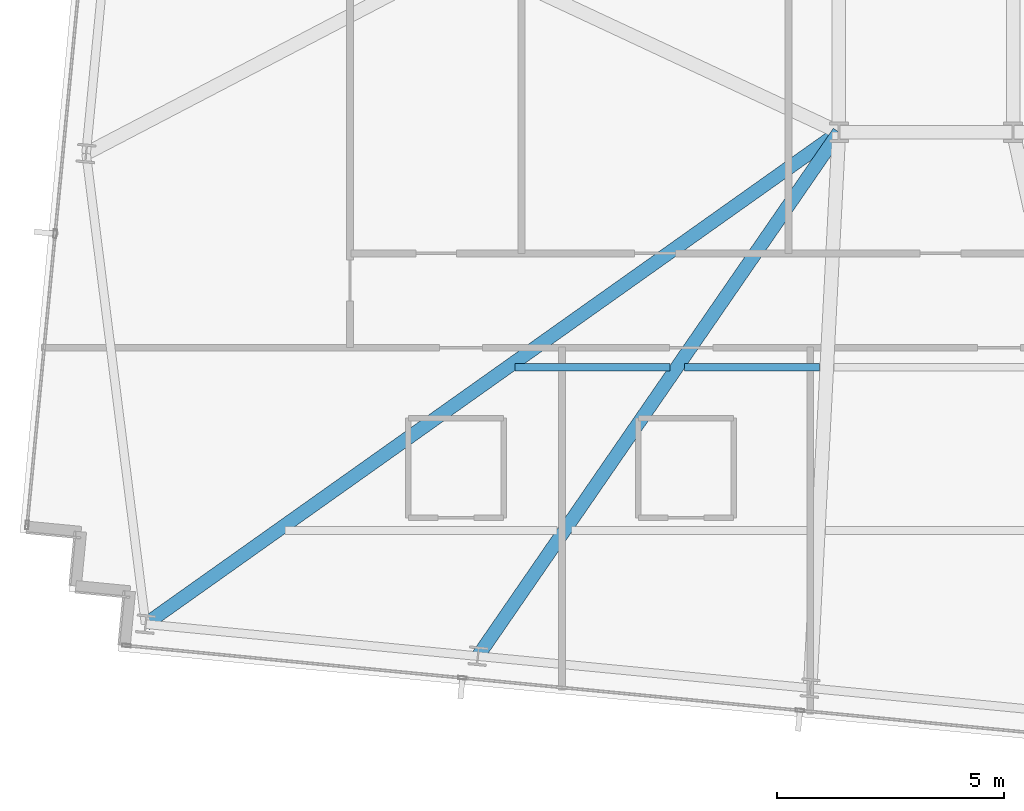
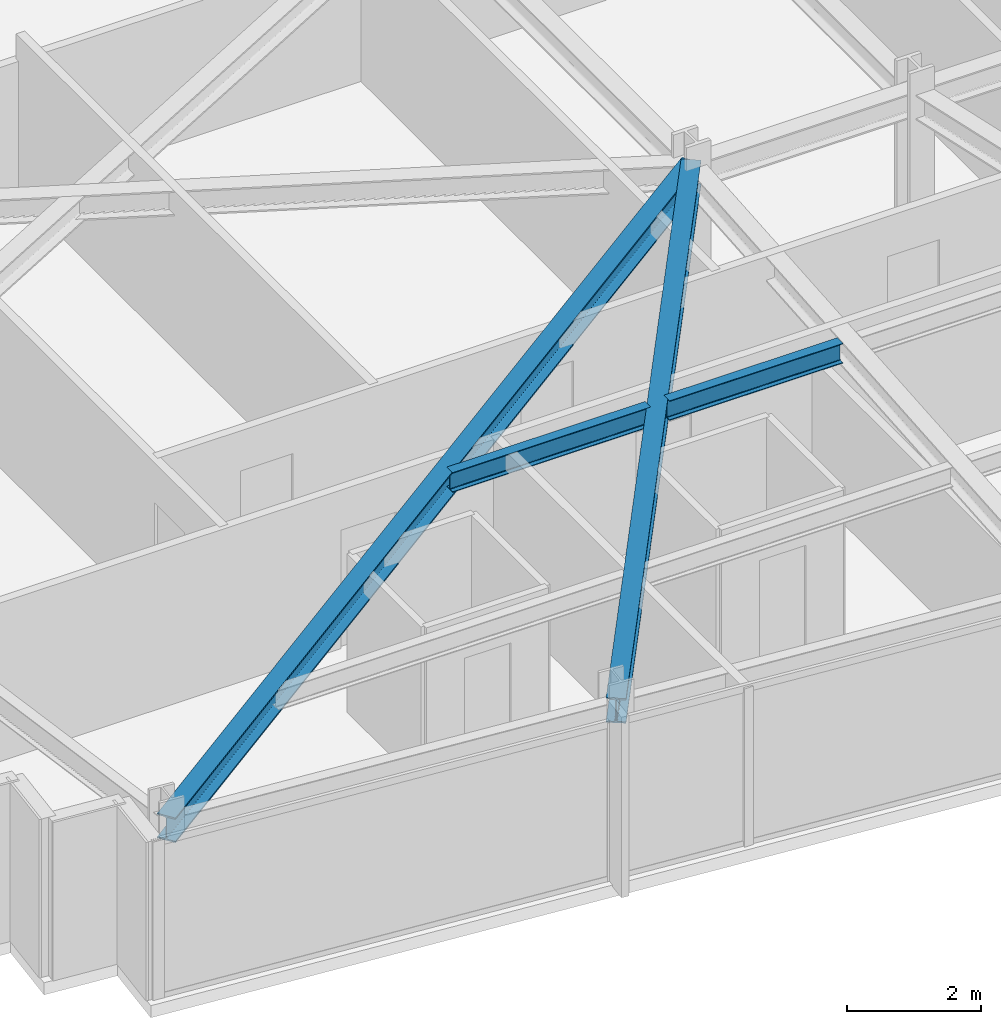
# One storey, part 5 of 37: 4 beams.
"""IFC4 building model written with IfcOpenShell, lengths in metres."""

from ifc_helpers import new_model, si_unit, direction, frame, origin, origin_2d, place, context, subcontext, project, spatial, i_section, extrude, material, material_profile, profile_set, type_object, element, save


model = new_model("IFC4")

# Units and contexts
model_context = context("Model", 3, precision=1e-05, world=origin(), true_north=direction((0.0, 1.0)))
body_context = subcontext(model_context, "Body", "Model", "MODEL_VIEW")
ifc_project = project(units=[si_unit("LENGTHUNIT", "METRE"), si_unit("AREAUNIT", "SQUARE_METRE"), si_unit("VOLUMEUNIT", "CUBIC_METRE"), si_unit("PLANEANGLEUNIT", "RADIAN"), si_unit("MASSUNIT", "GRAM", prefix="KILO")], contexts=[model_context])

# Site, building, storey
site_placement = place(None, origin())
site = spatial("IfcSite", under=ifc_project, at=site_placement, CompositionType="ELEMENT")
building_placement = place(site_placement, origin())
building = spatial("IfcBuilding", under=site, at=building_placement, Name="Yelkora Congress Tower", CompositionType="ELEMENT")
storey_placement = place(building_placement, frame((0.0, 0.0, 188.60009765625)))
storey = spatial("IfcBuildingStorey", under=building, at=storey_placement, Name="L52", CompositionType="ELEMENT", Elevation=188.60009765625)

# Beams
ifc_material = material(Name="Steel S355J2", Category="steel")
ifc_material_profile_1 = material_profile(ifc_material, i_section(OverallWidth=0.300048828125, OverallDepth=0.449951171875, WebThickness=0.013916015625, FlangeThickness=0.02587890625, FilletRadius=0.027099609375, at=origin_2d()), Name="HEB 450")
ifc_profile_set_1 = profile_set([ifc_material_profile_1], Name="Steel S355J2")
beam_type_1 = type_object("IfcBeamType", Name="BM-GIRD-HEB450", PredefinedType="BEAM", material=ifc_profile_set_1)
beam_1_placement = place(storey_placement, frame((3.919189453125, 14.357421875, 2.65478515625), z_axis=(0.815554555366, 0.578680194254, 0.0), x_axis=(-0.578680194254, 0.815554555366, 0.0)))
element("IfcBeam", 1, at=beam_1_placement, inside=storey, type_object=beam_type_1, Name="L52 Primary Frame Girder S01", PredefinedType="BEAM", context=body_context, shape_type="SweptSolid", body=[
    extrude(i_section(OverallWidth=0.300048828125, OverallDepth=0.449951171875, WebThickness=0.013916015625, FlangeThickness=0.02587890625, FilletRadius=0.027099609375, at=origin_2d()), origin(), (0.0, 0.0, 1.0), 18.736572265625),
])
beam_2_placement = place(storey_placement, frame((11.242431640625, 13.652099609375, 2.65478515625), z_axis=(0.567418043278, 0.823429878109, 0.0), x_axis=(-0.823429878109, 0.567418043278, 0.0)))
element("IfcBeam", 2, at=beam_2_placement, inside=storey, type_object=beam_type_1, Name="L52 Primary Frame Girder S02", PredefinedType="BEAM", context=body_context, shape_type="SweptSolid", body=[
    extrude(i_section(OverallWidth=0.300048828125, OverallDepth=0.449951171875, WebThickness=0.013916015625, FlangeThickness=0.02587890625, FilletRadius=0.027099609375, at=origin_2d()), origin(), (0.0, 0.0, 1.0), 14.024169921875),
])
ifc_material_profile_2 = material_profile(ifc_material, i_section(OverallWidth=0.169921875, OverallDepth=0.360107421875, WebThickness=0.008056640625, FlangeThickness=0.0126953125, FilletRadius=0.01806640625, at=origin_2d()), Name="IPE 360")
ifc_profile_set_2 = profile_set([ifc_material_profile_2], Name="Steel S355J2")
beam_type_2 = type_object("IfcBeamType", Name="BM-JOIST-IPE360", PredefinedType="JOIST", material=ifc_profile_set_2)
beam_3_placement = place(storey_placement, frame((12.061279296875, 20.021240234375, 2.699951171875), z_axis=(1.0, 0.0, 0.0), x_axis=(0.0, 1.0, 0.0)))
element("IfcBeam", 3, at=beam_3_placement, inside=storey, type_object=beam_type_2, Name="L52 Composite Floor Joist 12", PredefinedType="JOIST", context=body_context, shape_type="SweptSolid", body=[
    extrude(i_section(OverallWidth=0.169921875, OverallDepth=0.360107421875, WebThickness=0.008056640625, FlangeThickness=0.0126953125, FilletRadius=0.01806640625, at=origin_2d()), origin(), (0.0, 0.0, 1.0), 3.409912109375),
])
beam_4_placement = place(storey_placement, frame((15.791259765625, 20.021240234375, 2.699951171875), z_axis=(1.0, 0.0, 0.0), x_axis=(0.0, 1.0, 0.0)))
element("IfcBeam", 4, at=beam_4_placement, inside=storey, type_object=beam_type_2, Name="L52 Composite Floor Joist 13", PredefinedType="JOIST", context=body_context, shape_type="SweptSolid", body=[
    extrude(i_section(OverallWidth=0.169921875, OverallDepth=0.360107421875, WebThickness=0.008056640625, FlangeThickness=0.0126953125, FilletRadius=0.01806640625, at=origin_2d()), origin(), (0.0, 0.0, 1.0), 2.980712890625),
])

save(model, "model.ifc")
